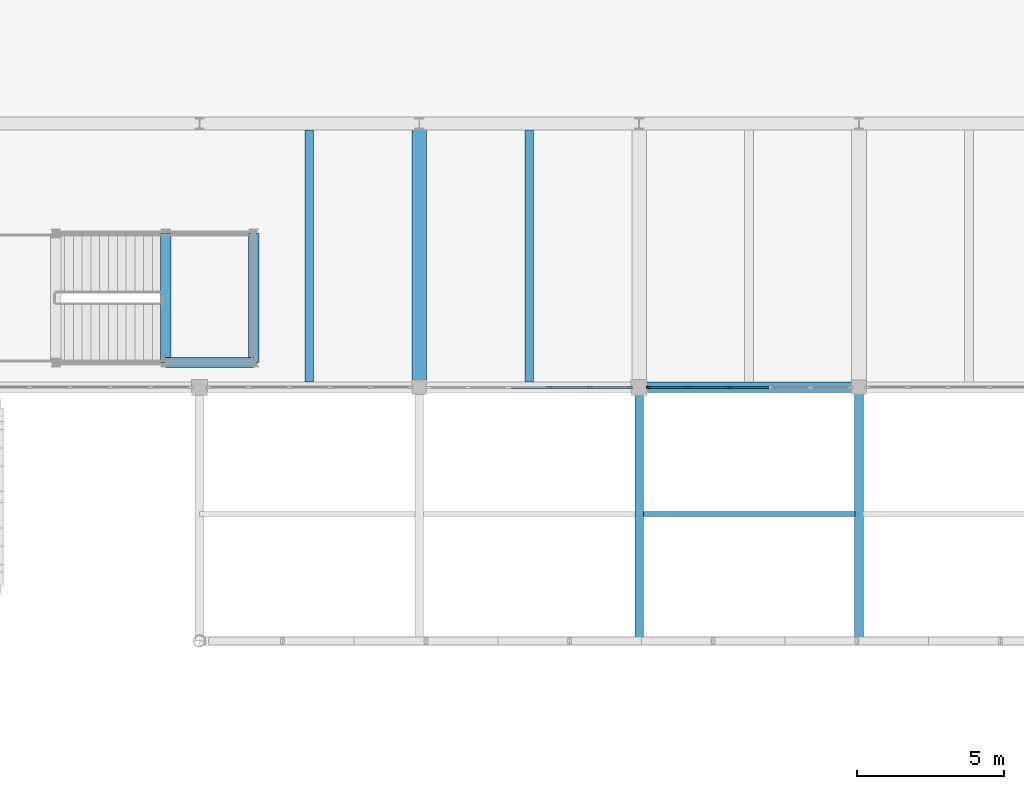
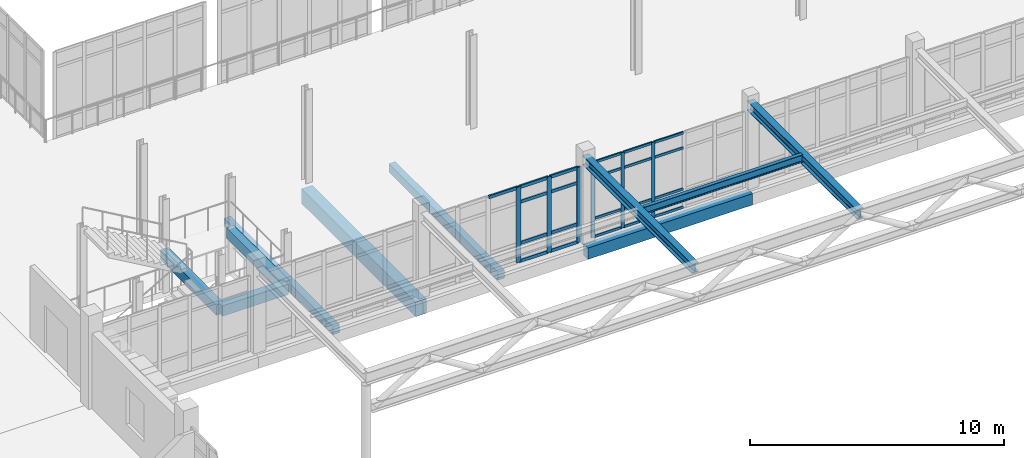
# One storey, part 28 of 128: 27 members, 10 beams, 2 elements without a shape of their own.
"""IFC4 building model written with IfcOpenShell, lengths in metres."""

from ifc_helpers import new_model, si_unit, direction, frame, origin, origin_2d, place, context, subcontext, project, spatial, rectangle, i_section, extrude, material, layer, layer_set, material_profile, profile_set, type_object, element, aggregate, save


model = new_model("IFC4")

# Units and contexts
model_context = context("Model", 3, precision=1e-05, world=origin(), true_north=direction((0.0, 1.0)))
body_context = subcontext(model_context, "Body", "Model", "MODEL_VIEW")
ifc_project = project(units=[si_unit("LENGTHUNIT", "METRE"), si_unit("AREAUNIT", "SQUARE_METRE"), si_unit("VOLUMEUNIT", "CUBIC_METRE"), si_unit("PLANEANGLEUNIT", "RADIAN"), si_unit("MASSUNIT", "GRAM", prefix="KILO")], contexts=[model_context])

# Site, building, storey
site_placement = place(None, origin())
site = spatial("IfcSite", under=ifc_project, at=site_placement, CompositionType="ELEMENT")
building_placement = place(site_placement, origin())
building = spatial("IfcBuilding", under=site, at=building_placement, Name="Dalvernix Boulevard General Hospital", CompositionType="ELEMENT")
storey_placement = place(building_placement, frame((0.0, 0.0, 4.800048828125)))
storey = spatial("IfcBuildingStorey", under=building, at=storey_placement, Name="L01", CompositionType="ELEMENT", Elevation=4.800048828125)

# Beams
ifc_material_1 = material(Name="Concrete C35/45", Category="concrete")
ifc_material_profile_1 = material_profile(ifc_material_1, rectangle(XDim=0.5, YDim=0.699951171875, at=origin_2d()), Name="RCB 500x700")
ifc_profile_set_1 = profile_set([ifc_material_profile_1], Name="Concrete C35/45")
beam_type_1 = type_object("IfcBeamType", Name="BM-B-01-I", PredefinedType="BEAM", material=ifc_profile_set_1)
beam_1_placement = place(storey_placement, frame((75.0, 22.5, -0.650146484375), z_axis=(0.0, 1.0, 0.0), x_axis=(-1.0, 0.0, 0.0)))
element("IfcBeam", 1, at=beam_1_placement, inside=storey, type_object=beam_type_1, Name="L01 N-S girder 11:D-E", PredefinedType="BEAM", context=body_context, shape_type="SweptSolid", body=[
    extrude(rectangle(XDim=0.5, YDim=0.699951171875, at=origin_2d()), origin(), (0.0, 0.0, 1.0), 9.0),
])
ifc_material_profile_2 = material_profile(ifc_material_1, rectangle(XDim=0.35009765625, YDim=0.5, at=origin_2d()), Name="RCB 350x500")
ifc_profile_set_2 = profile_set([ifc_material_profile_2], Name="Concrete C35/45")
beam_type_2 = type_object("IfcBeamType", Name="BM-B-08", PredefinedType="BEAM", material=ifc_profile_set_2)
for number, where, z_axis, x_axis, name in (
    (2, (69.35009765625, 23.35009765625, 1.800048828125), (0.0, 1.0, 0.0), (-1.0, 0.0, 0.0), "L01 ST-07 half-landing support beam FAR"),
    (3, (66.35009765625, 23.35009765625, 1.800048828125), (0.0, 1.0, 0.0), (-1.0, 0.0, 0.0), "L01 ST-07 half-landing support beam INNER"),
):
    element("IfcBeam", number, at=place(storey_placement, frame(where, z_axis=z_axis, x_axis=x_axis)), inside=storey, type_object=beam_type_2, Name=name, PredefinedType="BEAM", context=body_context, shape_type="SweptSolid", body=[
        extrude(rectangle(XDim=0.35009765625, YDim=0.5, at=origin_2d()), origin(), (0.0, 0.0, 1.0), 4.39990234375),
    ])
beam_2_placement = place(storey_placement, frame((66.35009765625, 23.35009765625, 1.800048828125), z_axis=(1.0, 0.0, 0.0), x_axis=(0.0, 1.0, 0.0)))
element("IfcBeam", 4, at=beam_2_placement, inside=storey, type_object=beam_type_2, Name="L01 ST-07 half-landing south edge beam", PredefinedType="BEAM", context=body_context, shape_type="SweptSolid", body=[
    extrude(rectangle(XDim=0.35009765625, YDim=0.5, at=origin_2d()), origin(), (0.0, 0.0, 1.0), 3.0),
])
ifc_material_profile_3 = material_profile(ifc_material_1, rectangle(XDim=0.300048828125, YDim=0.39990234375, at=origin_2d()), Name="RCB 300x400")
ifc_profile_set_3 = profile_set([ifc_material_profile_3], Name="Concrete C35/45")
beam_type_3 = type_object("IfcBeamType", Name="BM-JB-01", PredefinedType="JOIST", material=ifc_profile_set_3)
for number, where, z_axis, x_axis, name in (
    (5, (71.25, 22.675048828125, -0.5), (0.0, 1.0, 0.0), (-1.0, 0.0, 0.0), "L01 secondary floor beam 10-D"),
    (6, (78.75, 22.675048828125, -0.5), (0.0, 1.0, 0.0), (-1.0, 0.0, 0.0), "L01 secondary floor beam 11-D"),
):
    element("IfcBeam", number, at=place(storey_placement, frame(where, z_axis=z_axis, x_axis=x_axis)), inside=storey, type_object=beam_type_3, Name=name, PredefinedType="JOIST", context=body_context, shape_type="SweptSolid", body=[
        extrude(rectangle(XDim=0.300048828125, YDim=0.39990234375, at=origin_2d()), origin(), (0.0, 0.0, 1.0), 8.599853515625),
    ])
ifc_material_2 = material(Name="Steel S355", Category="steel")
ifc_material_profile_4 = material_profile(ifc_material_2, i_section(OverallWidth=0.300048828125, OverallDepth=0.449951171875, WebThickness=0.013916015625, FlangeThickness=0.02587890625, FilletRadius=0.027099609375, at=origin_2d()), Name="HEB 450")
ifc_profile_set_4 = profile_set([ifc_material_profile_4], Name="Steel S355")
beam_type_4 = type_object("IfcBeamType", Name="BM-RB-03", PredefinedType="BEAM", material=ifc_profile_set_4)
for number, where, z_axis, x_axis, name in (
    (7, (82.5, 22.5, 3.8798828125), (0.0, -1.0, 0.0), (1.0, 0.0, 0.0), "Porte-cochere canopy girder 3"),
    (8, (90.0, 22.5, 3.8798828125), (0.0, -1.0, 0.0), (1.0, 0.0, 0.0), "Porte-cochere canopy girder 4"),
):
    element("IfcBeam", number, at=place(storey_placement, frame(where, z_axis=z_axis, x_axis=x_axis)), inside=storey, type_object=beam_type_4, Name=name, PredefinedType="BEAM", context=body_context, shape_type="SweptSolid", body=[
        extrude(i_section(OverallWidth=0.300048828125, OverallDepth=0.449951171875, WebThickness=0.013916015625, FlangeThickness=0.02587890625, FilletRadius=0.027099609375, at=origin_2d()), origin(), (0.0, 0.0, 1.0), 8.64990234375),
    ])
ifc_material_profile_5 = material_profile(ifc_material_2, i_section(OverallWidth=0.169921875, OverallDepth=0.360107421875, WebThickness=0.008056640625, FlangeThickness=0.0126953125, FilletRadius=0.01806640625, at=origin_2d()), Name="IPE 360")
ifc_profile_set_5 = profile_set([ifc_material_profile_5], Name="Steel S355")
beam_type_5 = type_object("IfcBeamType", Name="BM-RB-08", PredefinedType="BEAM", material=ifc_profile_set_5)
beam_3_placement = place(storey_placement, frame((82.64208984375, 18.179931640625, 4.0), z_axis=(1.0, 0.0, 0.0), x_axis=(0.0, 1.0, 0.0)))
element("IfcBeam", 9, at=beam_3_placement, inside=storey, type_object=beam_type_5, Name="Porte-cochere canopy purlin 3", PredefinedType="BEAM", context=body_context, shape_type="SweptSolid", body=[
    extrude(i_section(OverallWidth=0.169921875, OverallDepth=0.360107421875, WebThickness=0.008056640625, FlangeThickness=0.0126953125, FilletRadius=0.01806640625, at=origin_2d()), origin(), (0.0, 0.0, 1.0), 7.2158203125),
])
ifc_material_profile_6 = material_profile(ifc_material_1, rectangle(XDim=0.35009765625, YDim=0.550048828125, at=origin_2d()), Name="RCB 350x550")
ifc_profile_set_6 = profile_set([ifc_material_profile_6], Name="Concrete C35/45")
beam_type_6 = type_object("IfcBeamType", Name="BM-SB-01-E", PredefinedType="SPANDREL", material=ifc_profile_set_6)
beam_4_placement = place(storey_placement, frame((82.5, 22.5, -0.574951171875), z_axis=(1.0, 0.0, 0.0), x_axis=(0.0, 1.0, 0.0)))
element("IfcBeam", 10, at=beam_4_placement, inside=storey, type_object=beam_type_6, Name="L01 E-W girder D:12-13", PredefinedType="SPANDREL", context=body_context, shape_type="SweptSolid", body=[
    extrude(rectangle(XDim=0.35009765625, YDim=0.550048828125, at=origin_2d()), origin(), (0.0, 0.0, 1.0), 7.5),
])

# Curtain wall, members
ifc_material_3 = material(Name="Thermally broken aluminium and solar-control glass curtain wall", Category="aluminium")
ifc_layer_1 = layer(ifc_material_3, 0.159912109375)
ifc_layer_set_1 = layer_set([ifc_layer_1], Name="Thermally broken aluminium and solar-control glass curtain wall (CW-CW-A-70x36)")
curtain_wall_type_1 = type_object("IfcCurtainWallType", Name="CW-CW-A-70x36", PredefinedType="USERDEFINED", material=ifc_layer_set_1)
curtain_wall_1_placement = place(storey_placement, origin())
curtain_wall_1 = element("IfcCurtainWall", 11, at=curtain_wall_1_placement, inside=storey, type_object=curtain_wall_type_1, Name="L01 curtain wall CW-A-70x36 11-3", ObjectType="GLAZED FACADE", PredefinedType="USERDEFINED")
ifc_material_4 = material(Name="Aluminium EN AW-6060", Category="aluminium")
ifc_material_profile_7 = material_profile(ifc_material_4, rectangle(XDim=0.06005859375, YDim=0.159912109375, at=origin_2d()), Name="ALU MULL 60x160")
ifc_profile_set_7 = profile_set([ifc_material_profile_7], Name="Aluminium EN AW-6060")
member_type_1 = type_object("IfcMemberType", Name="MEM-CW-M1", PredefinedType="MULLION", material=ifc_profile_set_7)
member_1_placement = place(storey_placement, frame((85.56689453125, 22.5, 0.0), z_axis=(0.0, 0.0, 1.0), x_axis=(0.0, -1.0, 0.0)))
member_1 = element("IfcMember", 12, at=member_1_placement, type_object=member_type_1, Name="CW-A-70x36 mullion 4", PredefinedType="MULLION", context=body_context, shape_type="SweptSolid", body=[
    extrude(rectangle(XDim=0.06005859375, YDim=0.159912109375, at=origin_2d()), origin(), (0.0, 0.0, 1.0), 3.6298828125),
])
member_2_placement = place(storey_placement, frame((84.176025390625, 22.5, 0.0), z_axis=(0.0, 0.0, 1.0), x_axis=(0.0, -1.0, 0.0)))
member_2 = element("IfcMember", 13, at=member_2_placement, type_object=member_type_1, Name="CW-A-70x36 mullion 5", PredefinedType="MULLION", context=body_context, shape_type="SweptSolid", body=[
    extrude(rectangle(XDim=0.06005859375, YDim=0.159912109375, at=origin_2d()), origin(), (0.0, 0.0, 1.0), 3.6298828125),
])
member_3_placement = place(storey_placement, frame((82.81494140625, 22.5, 0.0), z_axis=(0.0, 0.0, 1.0), x_axis=(0.0, -1.0, 0.0)))
member_3 = element("IfcMember", 14, at=member_3_placement, type_object=member_type_1, Name="CW-A-70x36 mullion 6", PredefinedType="MULLION", context=body_context, shape_type="SweptSolid", body=[
    extrude(rectangle(XDim=0.06005859375, YDim=0.159912109375, at=origin_2d()), origin(), (0.0, 0.0, 1.0), 3.6298828125),
])

ifc_layer_2 = layer(ifc_material_3, 0.199951171875)
ifc_layer_set_2 = layer_set([ifc_layer_2], Name="Thermally broken aluminium and solar-control glass curtain wall (CW-CW-C-70x36)")
curtain_wall_type_2 = type_object("IfcCurtainWallType", Name="CW-CW-C-70x36", PredefinedType="USERDEFINED", material=ifc_layer_set_2)
curtain_wall_2_placement = place(storey_placement, origin())
curtain_wall_2 = element("IfcCurtainWall", 15, at=curtain_wall_2_placement, inside=storey, type_object=curtain_wall_type_2, Name="L01 curtain wall CW-C-70x36 10-3", ObjectType="GLAZED FACADE", PredefinedType="USERDEFINED")
ifc_material_profile_8 = material_profile(ifc_material_4, rectangle(XDim=0.070068359375, YDim=0.199951171875, at=origin_2d()), Name="ALU MULL 70x200")
ifc_profile_set_8 = profile_set([ifc_material_profile_8], Name="Aluminium EN AW-6060")
member_type_2 = type_object("IfcMemberType", Name="MEM-CW-M3", PredefinedType="MULLION", material=ifc_profile_set_8)
member_4_placement = place(storey_placement, frame((82.179931640625, 22.5, 0.0), z_axis=(0.0, 0.0, 1.0), x_axis=(0.0, -1.0, 0.0)))
member_4 = element("IfcMember", 16, at=member_4_placement, type_object=member_type_2, Name="CW-C-70x36 mullion 1", PredefinedType="MULLION", context=body_context, shape_type="SweptSolid", body=[
    extrude(rectangle(XDim=0.070068359375, YDim=0.199951171875, at=origin_2d()), origin(), (0.0, 0.0, 1.0), 3.6298828125),
])
member_5_placement = place(storey_placement, frame((80.823974609375, 22.5, 0.0), z_axis=(0.0, 0.0, 1.0), x_axis=(0.0, -1.0, 0.0)))
member_5 = element("IfcMember", 17, at=member_5_placement, type_object=member_type_2, Name="CW-C-70x36 mullion 2", PredefinedType="MULLION", context=body_context, shape_type="SweptSolid", body=[
    extrude(rectangle(XDim=0.070068359375, YDim=0.199951171875, at=origin_2d()), origin(), (0.0, 0.0, 1.0), 3.6298828125),
])
member_6_placement = place(storey_placement, frame((79.43310546875, 22.5, 0.0), z_axis=(0.0, 0.0, 1.0), x_axis=(0.0, -1.0, 0.0)))
member_6 = element("IfcMember", 18, at=member_6_placement, type_object=member_type_2, Name="CW-C-70x36 mullion 3", PredefinedType="MULLION", context=body_context, shape_type="SweptSolid", body=[
    extrude(rectangle(XDim=0.070068359375, YDim=0.199951171875, at=origin_2d()), origin(), (0.0, 0.0, 1.0), 3.6298828125),
])

# Member
ifc_material_profile_9 = material_profile(ifc_material_4, rectangle(XDim=0.06005859375, YDim=0.1201171875, at=origin_2d()), Name="ALU TRAN 60x120")
ifc_profile_set_9 = profile_set([ifc_material_profile_9], Name="Aluminium EN AW-6060")
member_type_3 = type_object("IfcMemberType", Name="MEM-CW-T1", PredefinedType="USERDEFINED", material=ifc_profile_set_9)
member_7_placement = place(storey_placement, frame((86.927978515625, 22.5, 0.030029296875), z_axis=(-1.0, 0.0, 0.0), x_axis=(0.0, -1.0, 0.0)))
member_7 = element("IfcMember", 19, at=member_7_placement, type_object=member_type_3, Name="CW-A-70x36 transom 3.1", ObjectType="TRANSOM", PredefinedType="USERDEFINED", context=body_context, shape_type="SweptSolid", body=[
    extrude(rectangle(XDim=0.06005859375, YDim=0.1201171875, at=origin_2d()), origin(), (0.0, 0.0, 1.0), 1.3310546875),
])

member_8_placement = place(storey_placement, frame((86.927978515625, 22.5, 0.89990234375), z_axis=(-1.0, 0.0, 0.0), x_axis=(0.0, -1.0, 0.0)))
member_8 = element("IfcMember", 20, at=member_8_placement, type_object=member_type_3, Name="CW-A-70x36 transom 3.2", ObjectType="TRANSOM", PredefinedType="USERDEFINED", context=body_context, shape_type="SweptSolid", body=[
    extrude(rectangle(XDim=0.06005859375, YDim=0.1201171875, at=origin_2d()), origin(), (0.0, 0.0, 1.0), 1.3310546875),
])

member_9_placement = place(storey_placement, frame((86.927978515625, 22.5, 2.8798828125), z_axis=(-1.0, 0.0, 0.0), x_axis=(0.0, -1.0, 0.0)))
member_9 = element("IfcMember", 21, at=member_9_placement, type_object=member_type_3, Name="CW-A-70x36 transom 3.3", ObjectType="TRANSOM", PredefinedType="USERDEFINED", context=body_context, shape_type="SweptSolid", body=[
    extrude(rectangle(XDim=0.06005859375, YDim=0.1201171875, at=origin_2d()), origin(), (0.0, 0.0, 1.0), 1.3310546875),
])

member_10_placement = place(storey_placement, frame((86.927978515625, 22.5, 3.599853515625), z_axis=(-1.0, 0.0, 0.0), x_axis=(0.0, -1.0, 0.0)))
member_10 = element("IfcMember", 22, at=member_10_placement, type_object=member_type_3, Name="CW-A-70x36 transom 3.4", ObjectType="TRANSOM", PredefinedType="USERDEFINED", context=body_context, shape_type="SweptSolid", body=[
    extrude(rectangle(XDim=0.06005859375, YDim=0.1201171875, at=origin_2d()), origin(), (0.0, 0.0, 1.0), 1.3310546875),
])

member_11_placement = place(storey_placement, frame((85.537109375, 22.5, 0.030029296875), z_axis=(-1.0, 0.0, 0.0), x_axis=(0.0, -1.0, 0.0)))
member_11 = element("IfcMember", 23, at=member_11_placement, type_object=member_type_3, Name="CW-A-70x36 transom 4.1", ObjectType="TRANSOM", PredefinedType="USERDEFINED", context=body_context, shape_type="SweptSolid", body=[
    extrude(rectangle(XDim=0.06005859375, YDim=0.1201171875, at=origin_2d()), origin(), (0.0, 0.0, 1.0), 1.3310546875),
])

member_12_placement = place(storey_placement, frame((85.537109375, 22.5, 0.89990234375), z_axis=(-1.0, 0.0, 0.0), x_axis=(0.0, -1.0, 0.0)))
member_12 = element("IfcMember", 24, at=member_12_placement, type_object=member_type_3, Name="CW-A-70x36 transom 4.2", ObjectType="TRANSOM", PredefinedType="USERDEFINED", context=body_context, shape_type="SweptSolid", body=[
    extrude(rectangle(XDim=0.06005859375, YDim=0.1201171875, at=origin_2d()), origin(), (0.0, 0.0, 1.0), 1.3310546875),
])

member_13_placement = place(storey_placement, frame((85.537109375, 22.5, 2.8798828125), z_axis=(-1.0, 0.0, 0.0), x_axis=(0.0, -1.0, 0.0)))
member_13 = element("IfcMember", 25, at=member_13_placement, type_object=member_type_3, Name="CW-A-70x36 transom 4.3", ObjectType="TRANSOM", PredefinedType="USERDEFINED", context=body_context, shape_type="SweptSolid", body=[
    extrude(rectangle(XDim=0.06005859375, YDim=0.1201171875, at=origin_2d()), origin(), (0.0, 0.0, 1.0), 1.3310546875),
])

member_14_placement = place(storey_placement, frame((85.537109375, 22.5, 3.599853515625), z_axis=(-1.0, 0.0, 0.0), x_axis=(0.0, -1.0, 0.0)))
member_14 = element("IfcMember", 26, at=member_14_placement, type_object=member_type_3, Name="CW-A-70x36 transom 4.4", ObjectType="TRANSOM", PredefinedType="USERDEFINED", context=body_context, shape_type="SweptSolid", body=[
    extrude(rectangle(XDim=0.06005859375, YDim=0.1201171875, at=origin_2d()), origin(), (0.0, 0.0, 1.0), 1.3310546875),
])

member_15_placement = place(storey_placement, frame((84.14599609375, 22.5, 0.030029296875), z_axis=(-1.0, 0.0, 0.0), x_axis=(0.0, -1.0, 0.0)))
member_15 = element("IfcMember", 27, at=member_15_placement, type_object=member_type_3, Name="CW-A-70x36 transom 5.1", ObjectType="TRANSOM", PredefinedType="USERDEFINED", context=body_context, shape_type="SweptSolid", body=[
    extrude(rectangle(XDim=0.06005859375, YDim=0.1201171875, at=origin_2d()), origin(), (0.0, 0.0, 1.0), 1.301025390625),
])

member_16_placement = place(storey_placement, frame((84.14599609375, 22.5, 0.89990234375), z_axis=(-1.0, 0.0, 0.0), x_axis=(0.0, -1.0, 0.0)))
member_16 = element("IfcMember", 28, at=member_16_placement, type_object=member_type_3, Name="CW-A-70x36 transom 5.2", ObjectType="TRANSOM", PredefinedType="USERDEFINED", context=body_context, shape_type="SweptSolid", body=[
    extrude(rectangle(XDim=0.06005859375, YDim=0.1201171875, at=origin_2d()), origin(), (0.0, 0.0, 1.0), 1.301025390625),
])

member_17_placement = place(storey_placement, frame((84.14599609375, 22.5, 2.8798828125), z_axis=(-1.0, 0.0, 0.0), x_axis=(0.0, -1.0, 0.0)))
member_17 = element("IfcMember", 29, at=member_17_placement, type_object=member_type_3, Name="CW-A-70x36 transom 5.3", ObjectType="TRANSOM", PredefinedType="USERDEFINED", context=body_context, shape_type="SweptSolid", body=[
    extrude(rectangle(XDim=0.06005859375, YDim=0.1201171875, at=origin_2d()), origin(), (0.0, 0.0, 1.0), 1.301025390625),
])

member_18_placement = place(storey_placement, frame((84.14599609375, 22.5, 3.599853515625), z_axis=(-1.0, 0.0, 0.0), x_axis=(0.0, -1.0, 0.0)))
member_18 = element("IfcMember", 30, at=member_18_placement, type_object=member_type_3, Name="CW-A-70x36 transom 5.4", ObjectType="TRANSOM", PredefinedType="USERDEFINED", context=body_context, shape_type="SweptSolid", body=[
    extrude(rectangle(XDim=0.06005859375, YDim=0.1201171875, at=origin_2d()), origin(), (0.0, 0.0, 1.0), 1.301025390625),
])

aggregate(curtain_wall_1, [member_1, member_2, member_3, member_7, member_8, member_9, member_10, member_11, member_12, member_13, member_14, member_15, member_16, member_17, member_18])

ifc_material_profile_10 = material_profile(ifc_material_4, rectangle(XDim=0.070068359375, YDim=0.14990234375, at=origin_2d()), Name="ALU TRAN 70x150")
ifc_profile_set_10 = profile_set([ifc_material_profile_10], Name="Aluminium EN AW-6060")
member_type_4 = type_object("IfcMemberType", Name="MEM-CW-T3", PredefinedType="USERDEFINED", material=ifc_profile_set_10)
member_19_placement = place(storey_placement, frame((82.14501953125, 22.5, 0.034912109375), z_axis=(-1.0, 0.0, 0.0), x_axis=(0.0, -1.0, 0.0)))
member_19 = element("IfcMember", 31, at=member_19_placement, type_object=member_type_4, Name="CW-C-70x36 transom 1.1", ObjectType="TRANSOM", PredefinedType="USERDEFINED", context=body_context, shape_type="SweptSolid", body=[
    extrude(rectangle(XDim=0.070068359375, YDim=0.14990234375, at=origin_2d()), origin(), (0.0, 0.0, 1.0), 1.2861328125),
])

member_20_placement = place(storey_placement, frame((82.14501953125, 22.5, 0.89990234375), z_axis=(-1.0, 0.0, 0.0), x_axis=(0.0, -1.0, 0.0)))
member_20 = element("IfcMember", 32, at=member_20_placement, type_object=member_type_4, Name="CW-C-70x36 transom 1.2", ObjectType="TRANSOM", PredefinedType="USERDEFINED", context=body_context, shape_type="SweptSolid", body=[
    extrude(rectangle(XDim=0.070068359375, YDim=0.14990234375, at=origin_2d()), origin(), (0.0, 0.0, 1.0), 1.2861328125),
])

member_21_placement = place(storey_placement, frame((82.14501953125, 22.5, 2.8798828125), z_axis=(-1.0, 0.0, 0.0), x_axis=(0.0, -1.0, 0.0)))
member_21 = element("IfcMember", 33, at=member_21_placement, type_object=member_type_4, Name="CW-C-70x36 transom 1.3", ObjectType="TRANSOM", PredefinedType="USERDEFINED", context=body_context, shape_type="SweptSolid", body=[
    extrude(rectangle(XDim=0.070068359375, YDim=0.14990234375, at=origin_2d()), origin(), (0.0, 0.0, 1.0), 1.2861328125),
])

member_22_placement = place(storey_placement, frame((82.14501953125, 22.5, 3.594970703125), z_axis=(-1.0, 0.0, 0.0), x_axis=(0.0, -1.0, 0.0)))
member_22 = element("IfcMember", 34, at=member_22_placement, type_object=member_type_4, Name="CW-C-70x36 transom 1.4", ObjectType="TRANSOM", PredefinedType="USERDEFINED", context=body_context, shape_type="SweptSolid", body=[
    extrude(rectangle(XDim=0.070068359375, YDim=0.14990234375, at=origin_2d()), origin(), (0.0, 0.0, 1.0), 1.2861328125),
])

member_23_placement = place(storey_placement, frame((80.7890625, 22.5, 0.034912109375), z_axis=(-1.0, 0.0, 0.0), x_axis=(0.0, -1.0, 0.0)))
member_23 = element("IfcMember", 35, at=member_23_placement, type_object=member_type_4, Name="CW-C-70x36 transom 2.1", ObjectType="TRANSOM", PredefinedType="USERDEFINED", context=body_context, shape_type="SweptSolid", body=[
    extrude(rectangle(XDim=0.070068359375, YDim=0.14990234375, at=origin_2d()), origin(), (0.0, 0.0, 1.0), 1.321044921875),
])

member_24_placement = place(storey_placement, frame((80.7890625, 22.5, 0.89990234375), z_axis=(-1.0, 0.0, 0.0), x_axis=(0.0, -1.0, 0.0)))
member_24 = element("IfcMember", 36, at=member_24_placement, type_object=member_type_4, Name="CW-C-70x36 transom 2.2", ObjectType="TRANSOM", PredefinedType="USERDEFINED", context=body_context, shape_type="SweptSolid", body=[
    extrude(rectangle(XDim=0.070068359375, YDim=0.14990234375, at=origin_2d()), origin(), (0.0, 0.0, 1.0), 1.321044921875),
])

member_25_placement = place(storey_placement, frame((80.7890625, 22.5, 2.8798828125), z_axis=(-1.0, 0.0, 0.0), x_axis=(0.0, -1.0, 0.0)))
member_25 = element("IfcMember", 37, at=member_25_placement, type_object=member_type_4, Name="CW-C-70x36 transom 2.3", ObjectType="TRANSOM", PredefinedType="USERDEFINED", context=body_context, shape_type="SweptSolid", body=[
    extrude(rectangle(XDim=0.070068359375, YDim=0.14990234375, at=origin_2d()), origin(), (0.0, 0.0, 1.0), 1.321044921875),
])

member_26_placement = place(storey_placement, frame((80.7890625, 22.5, 3.594970703125), z_axis=(-1.0, 0.0, 0.0), x_axis=(0.0, -1.0, 0.0)))
member_26 = element("IfcMember", 38, at=member_26_placement, type_object=member_type_4, Name="CW-C-70x36 transom 2.4", ObjectType="TRANSOM", PredefinedType="USERDEFINED", context=body_context, shape_type="SweptSolid", body=[
    extrude(rectangle(XDim=0.070068359375, YDim=0.14990234375, at=origin_2d()), origin(), (0.0, 0.0, 1.0), 1.321044921875),
])

member_27_placement = place(storey_placement, frame((79.39794921875, 22.5, 3.594970703125), z_axis=(-1.0, 0.0, 0.0), x_axis=(0.0, -1.0, 0.0)))
member_27 = element("IfcMember", 39, at=member_27_placement, type_object=member_type_4, Name="CW-C-70x36 transom 3.4", ObjectType="TRANSOM", PredefinedType="USERDEFINED", context=body_context, shape_type="SweptSolid", body=[
    extrude(rectangle(XDim=0.070068359375, YDim=0.14990234375, at=origin_2d()), origin(), (0.0, 0.0, 1.0), 1.321044921875),
])

aggregate(curtain_wall_2, [member_4, member_5, member_6, member_19, member_20, member_21, member_22, member_23, member_24, member_25, member_26, member_27])

save(model, "model.ifc")
